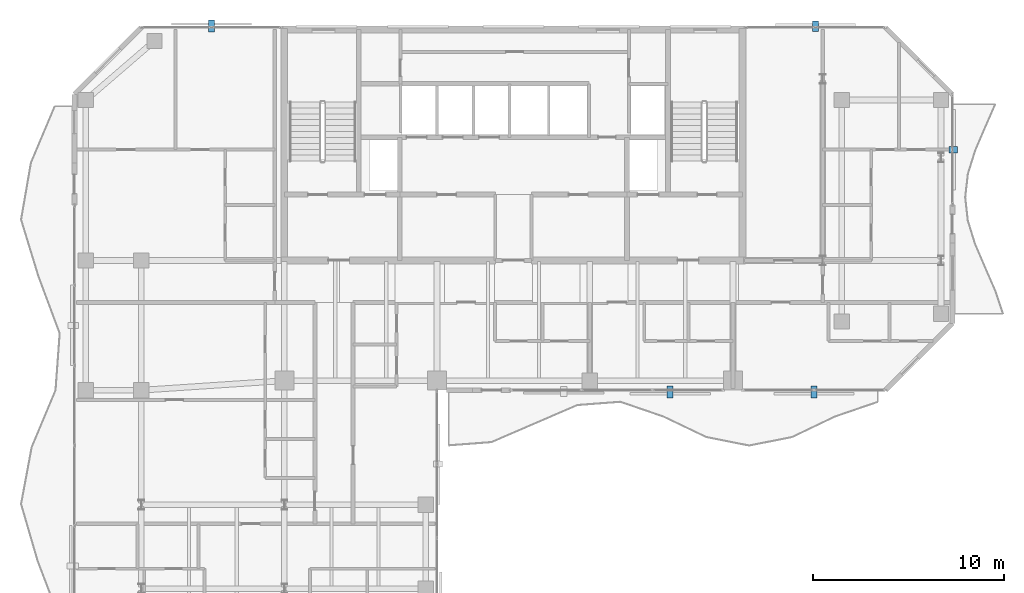
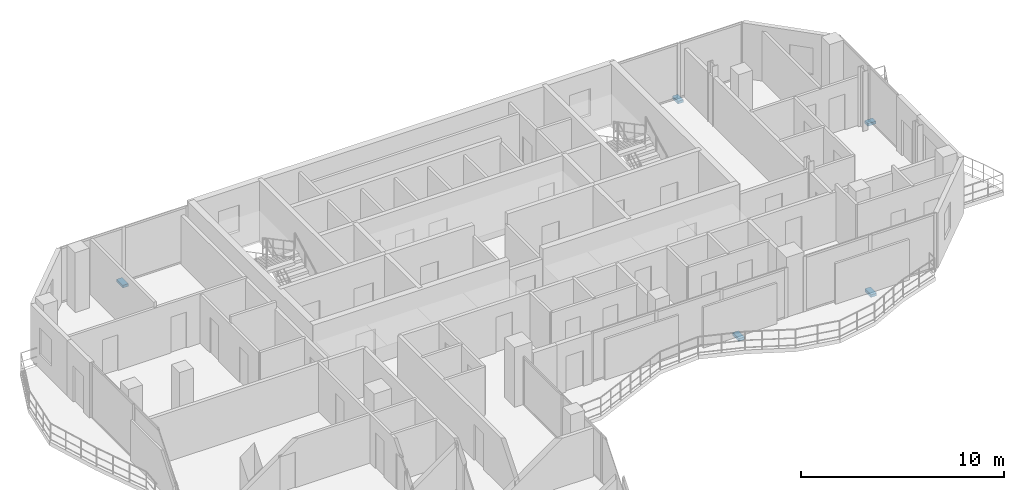
# One storey, part 21 of 24: 5 discrete accessories.
"""IFC4 building model written with IfcOpenShell, lengths in metres."""

from ifc_helpers import new_model, si_unit, direction, frame, origin, origin_2d, place, context, subcontext, project, spatial, rectangle, extrude, material, type_object, element, save


model = new_model("IFC4")

# Units and contexts
model_context = context("Model", 3, precision=1e-05, world=origin(), true_north=direction((0.0, 1.0)))
body_context = subcontext(model_context, "Body", "Model", "MODEL_VIEW")
ifc_project = project(units=[si_unit("LENGTHUNIT", "METRE"), si_unit("AREAUNIT", "SQUARE_METRE"), si_unit("VOLUMEUNIT", "CUBIC_METRE"), si_unit("PLANEANGLEUNIT", "RADIAN"), si_unit("MASSUNIT", "GRAM", prefix="KILO")], contexts=[model_context])

# Site, building, storey
site_placement = place(None, origin())
site = spatial("IfcSite", under=ifc_project, at=site_placement, CompositionType="ELEMENT")
building_placement = place(site_placement, origin())
building = spatial("IfcBuilding", under=site, at=building_placement, Name="Catumbela Crestline Tower", CompositionType="ELEMENT")
storey_placement = place(building_placement, frame((0.0, 0.0, 161.4)))
storey = spatial("IfcBuildingStorey", under=building, at=storey_placement, Name="L41", CompositionType="ELEMENT", Elevation=161.4)

# Discrete accessories
ifc_material = material(Name="Stainless steel EN 1.4401", Category="steel")
discrete_accessory_type = type_object("IfcDiscreteAccessoryType", Name="BK-SS1", PredefinedType="BRACKET", material=ifc_material)
for number, where, z_axis, x_axis, name in (
    (1, (36.2125, 23.915, -0.18), (0.0, 0.0, 1.0), (1.0, 0.0, 0.0), "L41 Solar Screen Stainless Bracket 452"),
    (2, (43.75, 23.915, -0.18), (0.0, 0.0, 1.0), (1.0, 0.0, 0.0), "L41 Solar Screen Stainless Bracket 453"),
):
    element("IfcDiscreteAccessory", number, at=place(storey_placement, frame(where, z_axis=z_axis, x_axis=x_axis)), inside=storey, type_object=discrete_accessory_type, Name=name, PredefinedType="BRACKET", context=body_context, shape_type="SweptSolid", body=[
        extrude(rectangle(XDim=0.32, YDim=0.62, at=origin_2d()), origin(), (0.0, 0.0, 1.0), 0.16),
    ])
discrete_accessory_1_placement = place(storey_placement, frame((51.045, 36.6, -0.18), z_axis=(0.0, 0.0, 1.0), x_axis=(0.0, 1.0, 0.0)))
element("IfcDiscreteAccessory", 3, at=discrete_accessory_1_placement, inside=storey, type_object=discrete_accessory_type, Name="L41 Solar Screen Stainless Bracket 454", PredefinedType="BRACKET", context=body_context, shape_type="SweptSolid", body=[
    extrude(rectangle(XDim=0.32, YDim=0.46, at=origin_2d()), origin(), (0.0, 0.0, 1.0), 0.16),
])
discrete_accessory_2_placement = place(storey_placement, frame((43.82, 43.065, -0.18), z_axis=(0.0, 0.0, 1.0), x_axis=(-1.0, 0.0, 0.0)))
element("IfcDiscreteAccessory", 4, at=discrete_accessory_2_placement, inside=storey, type_object=discrete_accessory_type, Name="L41 Solar Screen Stainless Bracket 455", PredefinedType="BRACKET", context=body_context, shape_type="SweptSolid", body=[
    extrude(rectangle(XDim=0.32, YDim=0.54, at=origin_2d()), origin(), (0.0, 0.0, 1.0), 0.16),
])
discrete_accessory_3_placement = place(storey_placement, frame((12.18, 43.085, -0.18), z_axis=(0.0, 0.0, 1.0), x_axis=(-1.0, 0.0, 0.0)))
element("IfcDiscreteAccessory", 5, at=discrete_accessory_3_placement, inside=storey, type_object=discrete_accessory_type, Name="L41 Solar Screen Stainless Bracket 456", PredefinedType="BRACKET", context=body_context, shape_type="SweptSolid", body=[
    extrude(rectangle(XDim=0.32, YDim=0.62, at=origin_2d()), origin(), (0.0, 0.0, 1.0), 0.16),
])

save(model, "model.ifc")
